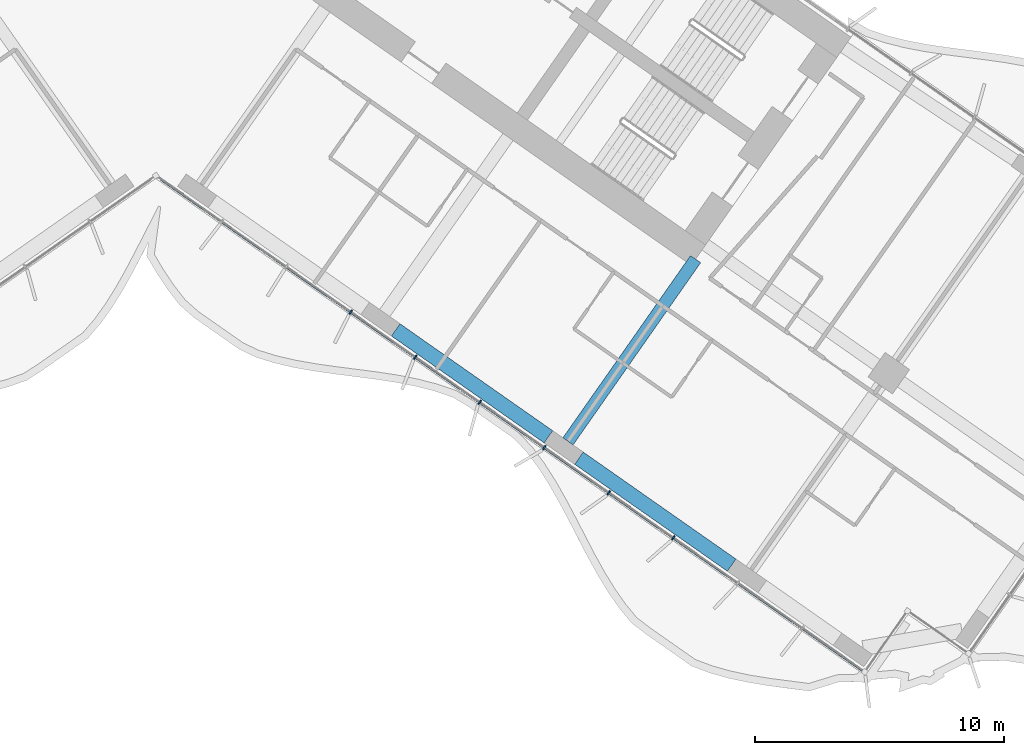
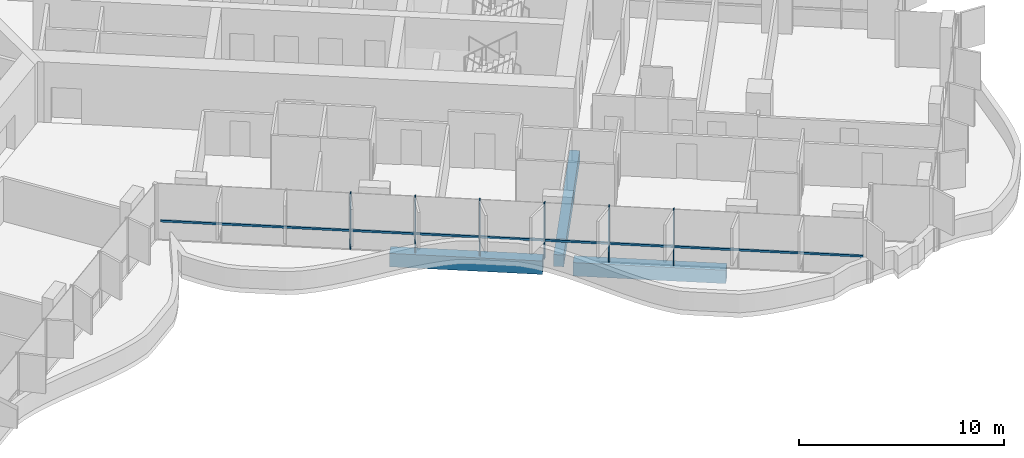
# One storey, part 5 of 23: 7 members, 3 beams, 1 element without a shape of its own.
"""IFC4 building model written with IfcOpenShell, lengths in metres."""

from ifc_helpers import new_model, si_unit, direction, frame, origin, origin_2d, place, context, subcontext, project, spatial, rectangle, extrude, material, material_profile, profile_set, type_object, element, aggregate, save


model = new_model("IFC4")

# Units and contexts
model_context = context("Model", 3, precision=1e-05, world=origin(), true_north=direction((0.0, 1.0)))
body_context = subcontext(model_context, "Body", "Model", "MODEL_VIEW")
ifc_project = project(units=[si_unit("LENGTHUNIT", "METRE"), si_unit("AREAUNIT", "SQUARE_METRE"), si_unit("VOLUMEUNIT", "CUBIC_METRE"), si_unit("PLANEANGLEUNIT", "RADIAN"), si_unit("MASSUNIT", "GRAM", prefix="KILO")], contexts=[model_context])

# Site, building, storey
site_placement = place(None, origin())
site = spatial("IfcSite", under=ifc_project, at=site_placement, CompositionType="ELEMENT")
building_placement = place(site_placement, origin())
building = spatial("IfcBuilding", under=site, at=building_placement, Name="Tel Ilan Convention Tower", CompositionType="ELEMENT")
storey_placement = place(building_placement, frame((0.0, 0.0, 101.300048828125)))
storey = spatial("IfcBuildingStorey", under=building, at=storey_placement, Name="L21", CompositionType="ELEMENT", Elevation=101.300048828125)

# Beams
ifc_material_1 = material(Name="Concrete C40/50", Category="concrete")
ifc_material_profile_1 = material_profile(ifc_material_1, rectangle(XDim=0.5, YDim=0.699951171875, at=origin_2d()), Name="RC 500x700")
ifc_profile_set_1 = profile_set([ifc_material_profile_1], Name="Concrete C40/50")
beam_type_1 = type_object("IfcBeamType", Name="Beam RC 500x700 Concrete C40/50", PredefinedType="BEAM", material=ifc_profile_set_1)
beam_placement = place(storey_placement, frame((16.58203125, -23.391357421875, -0.630126953125), z_axis=(0.573584999642, 0.819146048141, 0.0), x_axis=(-0.819146048141, 0.573584999642, 0.0)))
element("IfcBeam", 1, at=beam_placement, inside=storey, type_object=beam_type_1, Name="L21 beam E-E-F3-core", PredefinedType="BEAM", context=body_context, shape_type="SweptSolid", body=[
    extrude(rectangle(XDim=0.5, YDim=0.699951171875, at=origin_2d()), origin(), (0.0, 0.0, 1.0), 8.949951171875),
])
ifc_material_2 = material(Name="Concrete C40/50", Category="concrete")
ifc_material_profile_2 = material_profile(ifc_material_2, rectangle(XDim=0.60009765625, YDim=0.800048828125, at=origin_2d()), Name="RC 600x800")
ifc_profile_set_2 = profile_set([ifc_material_profile_2], Name="Concrete C40/50")
beam_type_2 = type_object("IfcBeamType", Name="Beam RC 600x800 Concrete C40/50", PredefinedType="BEAM", material=ifc_profile_set_2)
for number, where, z_axis, x_axis, name in (
    (2, (9.652099609375, -18.905029296875, -0.679931640625), (0.81915238829, -0.573575945067, 0.0), (0.573575945067, 0.81915238829, 0.0), "L21 beam E-E-F2-E-F3"),
    (3, (17.0244140625, -24.0673828125, -0.679931640625), (0.81915238829, -0.573575945067, 0.0), (0.573575945067, 0.81915238829, 0.0), "L21 beam E-E-F3-E-F4"),
):
    element("IfcBeam", number, at=place(storey_placement, frame(where, z_axis=z_axis, x_axis=x_axis)), inside=storey, type_object=beam_type_2, Name=name, PredefinedType="BEAM", context=body_context, shape_type="SweptSolid", body=[
        extrude(rectangle(XDim=0.60009765625, YDim=0.800048828125, at=origin_2d()), origin(), (0.0, 0.0, 1.0), 7.5),
    ])

# Curtain wall, members
ifc_material_3 = material(Name="Aluminium, bronze anodised", Category="aluminium")
curtain_wall_type = type_object("IfcCurtainWallType", Name="CW1 UNITISED CURTAIN WALL, HOTEL TINTED GLASS", PredefinedType="NOTDEFINED", material=ifc_material_3)
curtain_wall_placement = place(storey_placement, origin())
curtain_wall = element("IfcCurtainWall", 4, at=curtain_wall_placement, inside=storey, type_object=curtain_wall_type, Name="Curtain wall CW1-19.02", PredefinedType="NOTDEFINED")
ifc_material_4 = material(Name="Aluminium, bronze anodised", Category="aluminium")
ifc_material_profile_3 = material_profile(ifc_material_4, rectangle(XDim=0.06005859375, YDim=0.199951171875, at=origin_2d()), Name="CW MULLION 60x200")
ifc_profile_set_3 = profile_set([ifc_material_profile_3], Name="Aluminium, bronze anodised")
member_type_1 = type_object("IfcMemberType", Name="CW MULLION 60x200", PredefinedType="MULLION", material=ifc_profile_set_3)
member_1_placement = place(storey_placement, frame((7.842529296875, -18.1875, 0.0), z_axis=(0.0, 0.0, 1.0), x_axis=(0.819152044289, -0.573576436351, 0.0)))
member_1 = element("IfcMember", 5, at=member_1_placement, type_object=member_type_1, Name="Mullion", PredefinedType="MULLION", context=body_context, shape_type="SweptSolid", body=[
    extrude(rectangle(XDim=0.06005859375, YDim=0.199951171875, at=origin_2d()), origin(), (0.0, 0.0, 1.0), 3.320068359375),
])
member_2_placement = place(storey_placement, frame((10.4375, -20.004638671875, 0.0), z_axis=(0.0, 0.0, 1.0), x_axis=(0.819152044289, -0.573576436351, 0.0)))
member_2 = element("IfcMember", 6, at=member_2_placement, type_object=member_type_1, Name="Mullion", PredefinedType="MULLION", context=body_context, shape_type="SweptSolid", body=[
    extrude(rectangle(XDim=0.06005859375, YDim=0.199951171875, at=origin_2d()), origin(), (0.0, 0.0, 1.0), 3.320068359375),
])
member_3_placement = place(storey_placement, frame((13.03271484375, -21.821533203125, 0.0), z_axis=(0.0, 0.0, 1.0), x_axis=(0.819152044289, -0.573576436351, 0.0)))
member_3 = element("IfcMember", 7, at=member_3_placement, type_object=member_type_1, Name="Mullion", PredefinedType="MULLION", context=body_context, shape_type="SweptSolid", body=[
    extrude(rectangle(XDim=0.06005859375, YDim=0.199951171875, at=origin_2d()), origin(), (0.0, 0.0, 1.0), 3.320068359375),
])
member_4_placement = place(storey_placement, frame((15.627685546875, -23.638671875, 0.0), z_axis=(0.0, 0.0, 1.0), x_axis=(0.819152044289, -0.573576436351, 0.0)))
member_4 = element("IfcMember", 8, at=member_4_placement, type_object=member_type_1, Name="Mullion", PredefinedType="MULLION", context=body_context, shape_type="SweptSolid", body=[
    extrude(rectangle(XDim=0.06005859375, YDim=0.199951171875, at=origin_2d()), origin(), (0.0, 0.0, 1.0), 3.320068359375),
])
member_5_placement = place(storey_placement, frame((18.222900390625, -25.455810546875, 0.0), z_axis=(0.0, 0.0, 1.0), x_axis=(0.819152044289, -0.573576436351, 0.0)))
member_5 = element("IfcMember", 9, at=member_5_placement, type_object=member_type_1, Name="Mullion", PredefinedType="MULLION", context=body_context, shape_type="SweptSolid", body=[
    extrude(rectangle(XDim=0.06005859375, YDim=0.199951171875, at=origin_2d()), origin(), (0.0, 0.0, 1.0), 3.320068359375),
])
member_6_placement = place(storey_placement, frame((20.81787109375, -27.27294921875, 0.0), z_axis=(0.0, 0.0, 1.0), x_axis=(0.819152044289, -0.573576436351, 0.0)))
member_6 = element("IfcMember", 10, at=member_6_placement, type_object=member_type_1, Name="Mullion", PredefinedType="MULLION", context=body_context, shape_type="SweptSolid", body=[
    extrude(rectangle(XDim=0.06005859375, YDim=0.199951171875, at=origin_2d()), origin(), (0.0, 0.0, 1.0), 3.320068359375),
])
ifc_material_5 = material(Name="Aluminium, bronze anodised", Category="aluminium")
ifc_material_profile_4 = material_profile(ifc_material_5, rectangle(XDim=0.10009765625, YDim=0.1201171875, at=origin_2d()), Name="CW TRANSOM 100x120")
ifc_profile_set_4 = profile_set([ifc_material_profile_4], Name="Aluminium, bronze anodised")
member_type_2 = type_object("IfcMemberType", Name="CW TRANSOM 100x120", PredefinedType="USERDEFINED", material=ifc_profile_set_4)
member_7_placement = place(storey_placement, frame((0.22119140625, -12.850830078125, 1.099853515625), z_axis=(0.819151003602, -0.573577922604, 0.0), x_axis=(0.573577922604, 0.819151003602, 0.0)))
member_7 = element("IfcMember", 11, at=member_7_placement, type_object=member_type_2, Name="Transom", ObjectType="TRANSOM", PredefinedType="USERDEFINED", context=body_context, shape_type="SweptSolid", body=[
    extrude(rectangle(XDim=0.10009765625, YDim=0.1201171875, at=origin_2d()), origin(), (0.0, 0.0, 1.0), 34.447998046875),
])
aggregate(curtain_wall, [member_1, member_2, member_3, member_4, member_5, member_6, member_7])

save(model, "model.ifc")
